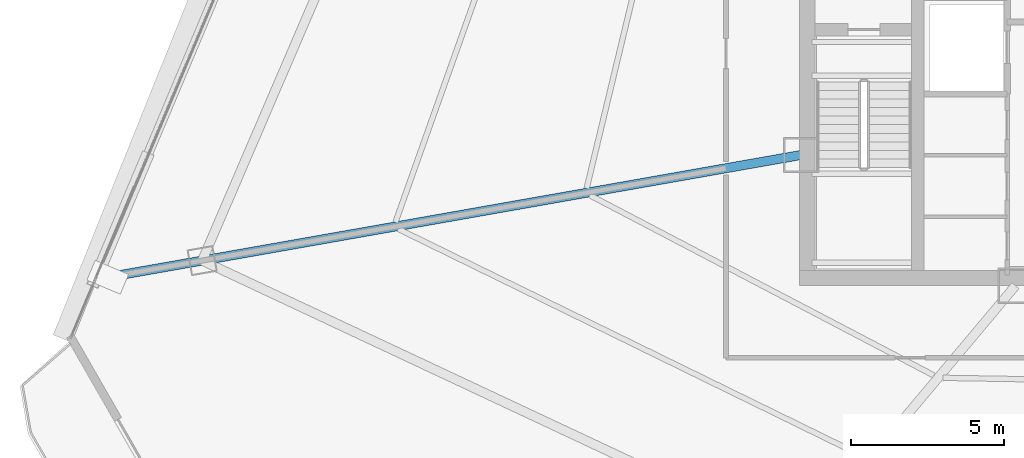
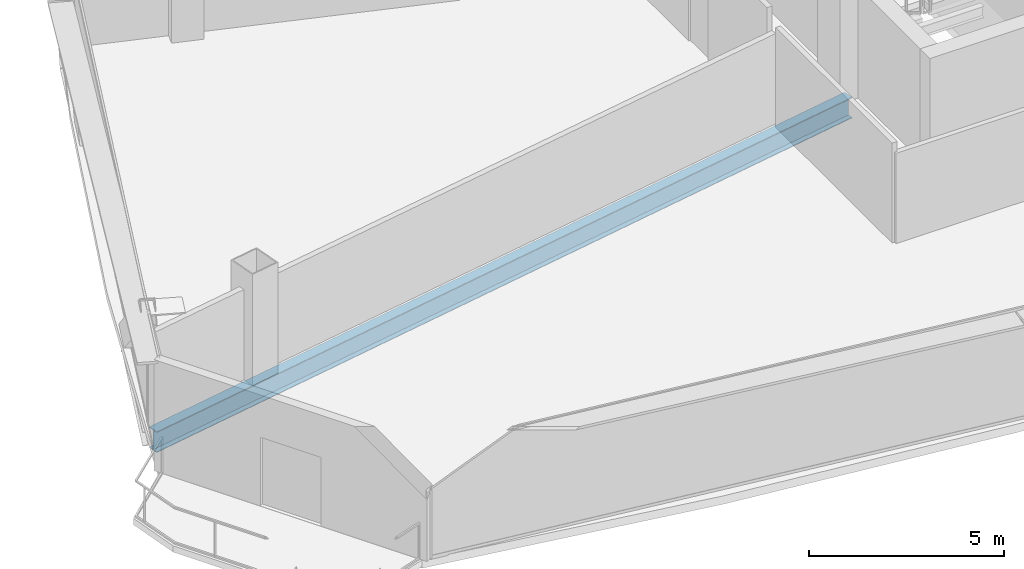
# One storey, part 5 of 35: 1 beam.
"""IFC4 building model written with IfcOpenShell, lengths in metres."""

from ifc_helpers import new_model, si_unit, direction, frame, origin, origin_2d, place, context, subcontext, project, spatial, i_section, extrude, source, transform, mapped, material, material_profile, profile_set, type_object, element, save


model = new_model("IFC4")

# Units and contexts
model_context = context("Model", 3, precision=1e-05, world=origin(), true_north=direction((0.0, 1.0)))
body_context = subcontext(model_context, "Body", "Model", "MODEL_VIEW")
ifc_project = project(units=[si_unit("LENGTHUNIT", "METRE"), si_unit("AREAUNIT", "SQUARE_METRE"), si_unit("VOLUMEUNIT", "CUBIC_METRE"), si_unit("PLANEANGLEUNIT", "RADIAN"), si_unit("MASSUNIT", "GRAM", prefix="KILO"), si_unit("THERMODYNAMICTEMPERATUREUNIT", "KELVIN"), si_unit("POWERUNIT", "WATT")], contexts=[model_context])

# Site, building, storey
site_placement = place(None, origin())
site = spatial("IfcSite", under=ifc_project, at=site_placement, CompositionType="ELEMENT")
building_placement = place(site_placement, origin())
building = spatial("IfcBuilding", under=site, at=building_placement, Name="Yunzhuo Pagoda Commons", CompositionType="ELEMENT")
storey_placement = place(building_placement, frame((0.0, 0.0, 237.070068359375)))
storey = spatial("IfcBuildingStorey", under=building, at=storey_placement, Name="L59", CompositionType="ELEMENT", Elevation=237.070068359375)

# Beam
ifc_material = material(Name="Structural steel Q355B", Category="steel")
ifc_material_profile = material_profile(ifc_material, i_section(OverallWidth=0.300048828125, OverallDepth=0.64990234375, WebThickness=0.012939453125, FlangeThickness=0.02197265625, at=origin_2d()), Name="Structural steel Q355B")
ifc_profile_set = profile_set([ifc_material_profile], Name="Structural steel Q355B")
beam_type = type_object("IfcBeamType", Name="B-RG2 Beam HN 650x300x13x22", PredefinedType="BEAM", material=ifc_profile_set)
shared_shape = source(origin(), body_context, "Body", "SweptSolid", [
    extrude(i_section(OverallWidth=0.300048828125, OverallDepth=0.64990234375, WebThickness=0.012939453125, FlangeThickness=0.02197265625, at=origin_2d()), origin(), (0.0, 0.0, 1.0), 23.22265625),
])
beam_placement = place(storey_placement, frame((12.730224609375, 27.48095703125, -0.5849609375), z_axis=(0.984808525924, 0.173643794211, 0.0), x_axis=(-0.173643794211, 0.984808525924, 0.0)))
element("IfcBeam", 1, at=beam_placement, inside=storey, type_object=beam_type, Name="L59 radial floor girder F3C4", PredefinedType="BEAM", context=body_context, shape_type="MappedRepresentation", body=[
    mapped(shared_shape, transform((0.0, 0.0, 0.0), scale=1.0)),
])

save(model, "model.ifc")
